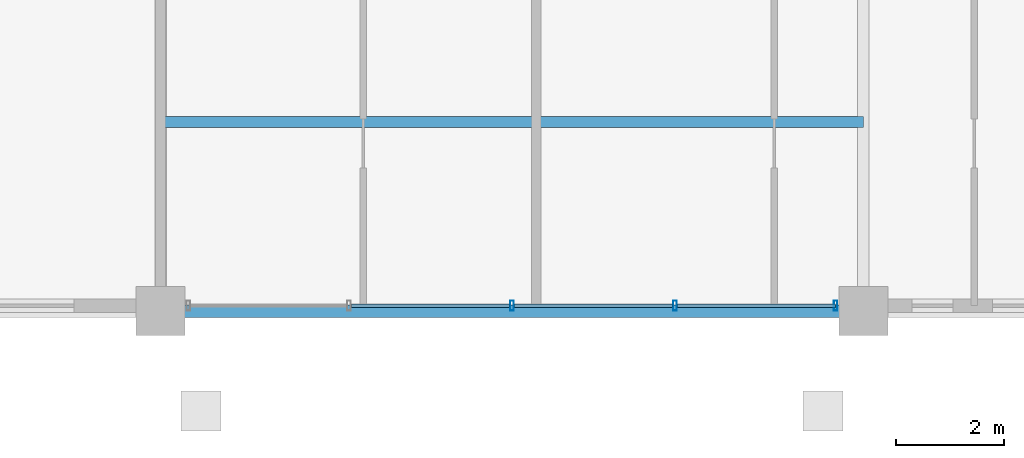
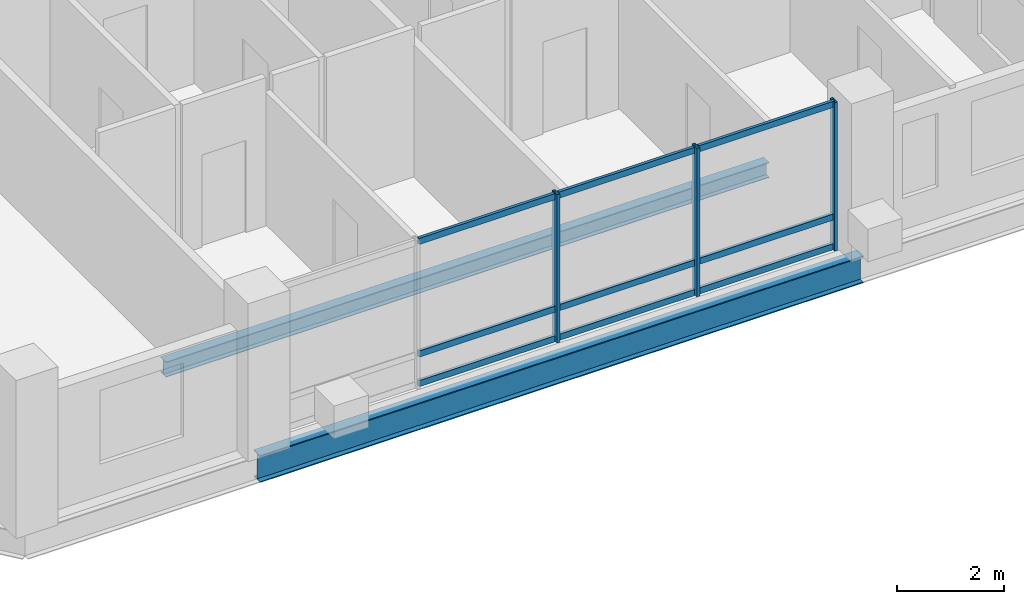
# One storey, part 4 of 22: 12 members, 2 beams, 1 element without a shape of its own.
"""IFC4 building model written with IfcOpenShell, lengths in metres."""

from ifc_helpers import new_model, si_unit, direction, frame, origin, origin_2d, place, context, subcontext, project, spatial, hollow_rectangle, i_section, extrude, material, layer, layer_set, material_profile, profile_set, type_object, element, aggregate, save


model = new_model("IFC4")

# Units and contexts
model_context = context("Model", 3, precision=1e-05, world=origin(), true_north=direction((0.0, 1.0)))
body_context = subcontext(model_context, "Body", "Model", "MODEL_VIEW")
ifc_project = project(units=[si_unit("LENGTHUNIT", "METRE"), si_unit("AREAUNIT", "SQUARE_METRE"), si_unit("VOLUMEUNIT", "CUBIC_METRE"), si_unit("PLANEANGLEUNIT", "RADIAN"), si_unit("MASSUNIT", "GRAM", prefix="KILO")], contexts=[model_context])

# Site, building, storey
site_placement = place(None, origin())
site = spatial("IfcSite", under=ifc_project, at=site_placement, CompositionType="ELEMENT")
building_placement = place(site_placement, origin())
building = spatial("IfcBuilding", under=site, at=building_placement, Name="Barlavira Tower and Art Museum", CompositionType="ELEMENT")
storey_placement = place(building_placement, frame((0.0, 0.0, 243.89990234375)))
storey = spatial("IfcBuildingStorey", under=building, at=storey_placement, Name="L63", CompositionType="ELEMENT", Elevation=243.89990234375)

# Curtain wall, members
ifc_material_1 = material(Name="Low-iron coastal laminated glass", Category="glass")
ifc_layer = layer(ifc_material_1, 0.2099609375, Name="Low-iron coastal laminated glass")
ifc_layer_set = layer_set([ifc_layer], Name="Low-iron coastal laminated glass")
curtain_wall_type = type_object("IfcCurtainWallType", Name="Pale-Metal Unitised Curtain Wall Zone 4", PredefinedType="NOTDEFINED", material=ifc_layer_set)
curtain_wall_placement = place(storey_placement, origin())
curtain_wall = element("IfcCurtainWall", 1, at=curtain_wall_placement, inside=storey, type_object=curtain_wall_type, Name="L63 Curtain Wall CW4-L63-S-B2", PredefinedType="NOTDEFINED")
ifc_material_2 = material(Name="Pale anodised aluminium", Category="aluminium")
ifc_material_profile_1 = material_profile(ifc_material_2, hollow_rectangle(XDim=0.06494140625, YDim=0.179931640625, WallThickness=0.00390625, at=origin_2d()), Name="ALU-MULL 65x180x4")
ifc_profile_set_1 = profile_set([ifc_material_profile_1], Name="Pale anodised aluminium")
member_type_1 = type_object("IfcMemberType", Name="Curtain Wall Pale-Metal Mullion 65x180", PredefinedType="MULLION", material=ifc_profile_set_1)
member_1_placement = place(storey_placement, frame((0.0, -19.89990234375, 0.0), z_axis=(0.0, 0.0, 1.0), x_axis=(1.0, 0.0, 0.0)))
member_1 = element("IfcMember", 2, at=member_1_placement, type_object=member_type_1, Name="CW4-L63-S-B2 Mullion 2", PredefinedType="MULLION", context=body_context, shape_type="SweptSolid", body=[
    extrude(hollow_rectangle(XDim=0.06494140625, YDim=0.179931640625, WallThickness=0.00390625, at=origin_2d()), origin(), (0.0, 0.0, 1.0), 3.380126953125),
])
member_2_placement = place(storey_placement, frame((3.014892578125, -19.89990234375, 0.0), z_axis=(0.0, 0.0, 1.0), x_axis=(1.0, 0.0, 0.0)))
member_2 = element("IfcMember", 3, at=member_2_placement, type_object=member_type_1, Name="CW4-L63-S-B2 Mullion 3", PredefinedType="MULLION", context=body_context, shape_type="SweptSolid", body=[
    extrude(hollow_rectangle(XDim=0.06494140625, YDim=0.179931640625, WallThickness=0.00390625, at=origin_2d()), origin(), (0.0, 0.0, 1.0), 3.380126953125),
])
member_3_placement = place(storey_placement, frame((5.985107421875, -19.89990234375, 0.0), z_axis=(0.0, 0.0, 1.0), x_axis=(1.0, 0.0, 0.0)))
member_3 = element("IfcMember", 4, at=member_3_placement, type_object=member_type_1, Name="CW4-L63-S-B2 Mullion 4", PredefinedType="MULLION", context=body_context, shape_type="SweptSolid", body=[
    extrude(hollow_rectangle(XDim=0.06494140625, YDim=0.179931640625, WallThickness=0.00390625, at=origin_2d()), origin(), (0.0, 0.0, 1.0), 3.380126953125),
])
ifc_material_profile_2 = material_profile(ifc_material_2, hollow_rectangle(XDim=0.06494140625, YDim=0.139892578125, WallThickness=0.00390625, at=origin_2d()), Name="ALU-TRAN 65x140x4")
ifc_profile_set_2 = profile_set([ifc_material_profile_2], Name="Pale anodised aluminium")
member_type_2 = type_object("IfcMemberType", Name="Curtain Wall Pale-Metal Transom 65x140", PredefinedType="USERDEFINED", material=ifc_profile_set_2)
member_4_placement = place(storey_placement, frame((-2.969970703125, -19.89990234375, 0.070068359375), z_axis=(1.0, 0.0, 0.0), x_axis=(0.0, 1.0, 0.0)))
member_4 = element("IfcMember", 5, at=member_4_placement, type_object=member_type_2, Name="CW4-L63-S-B2 Transom 1.1", ObjectType="TRANSOM", PredefinedType="USERDEFINED", context=body_context, shape_type="SweptSolid", body=[
    extrude(hollow_rectangle(XDim=0.06494140625, YDim=0.139892578125, WallThickness=0.00390625, at=origin_2d()), origin(), (0.0, 0.0, 1.0), 2.925048828125),
])
member_5_placement = place(storey_placement, frame((-2.969970703125, -19.89990234375, 0.744140625), z_axis=(1.0, 0.0, 0.0), x_axis=(0.0, 1.0, 0.0)))
member_5 = element("IfcMember", 6, at=member_5_placement, type_object=member_type_2, Name="CW4-L63-S-B2 Transom 1.2", ObjectType="TRANSOM", PredefinedType="USERDEFINED", context=body_context, shape_type="SweptSolid", body=[
    extrude(hollow_rectangle(XDim=0.06494140625, YDim=0.139892578125, WallThickness=0.00390625, at=origin_2d()), origin(), (0.0, 0.0, 1.0), 2.925048828125),
])
member_6_placement = place(storey_placement, frame((-2.969970703125, -19.89990234375, 3.31005859375), z_axis=(1.0, 0.0, 0.0), x_axis=(0.0, 1.0, 0.0)))
member_6 = element("IfcMember", 7, at=member_6_placement, type_object=member_type_2, Name="CW4-L63-S-B2 Transom 1.3", ObjectType="TRANSOM", PredefinedType="USERDEFINED", context=body_context, shape_type="SweptSolid", body=[
    extrude(hollow_rectangle(XDim=0.06494140625, YDim=0.139892578125, WallThickness=0.00390625, at=origin_2d()), origin(), (0.0, 0.0, 1.0), 2.925048828125),
])
member_7_placement = place(storey_placement, frame((0.044921875, -19.89990234375, 0.070068359375), z_axis=(1.0, 0.0, 0.0), x_axis=(0.0, 1.0, 0.0)))
member_7 = element("IfcMember", 8, at=member_7_placement, type_object=member_type_2, Name="CW4-L63-S-B2 Transom 2.1", ObjectType="TRANSOM", PredefinedType="USERDEFINED", context=body_context, shape_type="SweptSolid", body=[
    extrude(hollow_rectangle(XDim=0.06494140625, YDim=0.139892578125, WallThickness=0.00390625, at=origin_2d()), origin(), (0.0, 0.0, 1.0), 2.925048828125),
])
member_8_placement = place(storey_placement, frame((0.044921875, -19.89990234375, 0.744140625), z_axis=(1.0, 0.0, 0.0), x_axis=(0.0, 1.0, 0.0)))
member_8 = element("IfcMember", 9, at=member_8_placement, type_object=member_type_2, Name="CW4-L63-S-B2 Transom 2.2", ObjectType="TRANSOM", PredefinedType="USERDEFINED", context=body_context, shape_type="SweptSolid", body=[
    extrude(hollow_rectangle(XDim=0.06494140625, YDim=0.139892578125, WallThickness=0.00390625, at=origin_2d()), origin(), (0.0, 0.0, 1.0), 2.925048828125),
])
member_9_placement = place(storey_placement, frame((0.044921875, -19.89990234375, 3.31005859375), z_axis=(1.0, 0.0, 0.0), x_axis=(0.0, 1.0, 0.0)))
member_9 = element("IfcMember", 10, at=member_9_placement, type_object=member_type_2, Name="CW4-L63-S-B2 Transom 2.3", ObjectType="TRANSOM", PredefinedType="USERDEFINED", context=body_context, shape_type="SweptSolid", body=[
    extrude(hollow_rectangle(XDim=0.06494140625, YDim=0.139892578125, WallThickness=0.00390625, at=origin_2d()), origin(), (0.0, 0.0, 1.0), 2.925048828125),
])
member_10_placement = place(storey_placement, frame((3.06005859375, -19.89990234375, 0.070068359375), z_axis=(1.0, 0.0, 0.0), x_axis=(0.0, 1.0, 0.0)))
member_10 = element("IfcMember", 11, at=member_10_placement, type_object=member_type_2, Name="CW4-L63-S-B2 Transom 3.1", ObjectType="TRANSOM", PredefinedType="USERDEFINED", context=body_context, shape_type="SweptSolid", body=[
    extrude(hollow_rectangle(XDim=0.06494140625, YDim=0.139892578125, WallThickness=0.00390625, at=origin_2d()), origin(), (0.0, 0.0, 1.0), 2.925048828125),
])
member_11_placement = place(storey_placement, frame((3.06005859375, -19.89990234375, 0.744140625), z_axis=(1.0, 0.0, 0.0), x_axis=(0.0, 1.0, 0.0)))
member_11 = element("IfcMember", 12, at=member_11_placement, type_object=member_type_2, Name="CW4-L63-S-B2 Transom 3.2", ObjectType="TRANSOM", PredefinedType="USERDEFINED", context=body_context, shape_type="SweptSolid", body=[
    extrude(hollow_rectangle(XDim=0.06494140625, YDim=0.139892578125, WallThickness=0.00390625, at=origin_2d()), origin(), (0.0, 0.0, 1.0), 2.925048828125),
])
member_12_placement = place(storey_placement, frame((3.06005859375, -19.89990234375, 3.31005859375), z_axis=(1.0, 0.0, 0.0), x_axis=(0.0, 1.0, 0.0)))
member_12 = element("IfcMember", 13, at=member_12_placement, type_object=member_type_2, Name="CW4-L63-S-B2 Transom 3.3", ObjectType="TRANSOM", PredefinedType="USERDEFINED", context=body_context, shape_type="SweptSolid", body=[
    extrude(hollow_rectangle(XDim=0.06494140625, YDim=0.139892578125, WallThickness=0.00390625, at=origin_2d()), origin(), (0.0, 0.0, 1.0), 2.925048828125),
])
aggregate(curtain_wall, [member_1, member_2, member_3, member_4, member_5, member_6, member_7, member_8, member_9, member_10, member_11, member_12])

# Beams
ifc_material_3 = material(Name="Steel S355", Category="steel")
ifc_material_profile_3 = material_profile(ifc_material_3, i_section(OverallWidth=0.22998046875, OverallDepth=0.616943359375, WebThickness=0.01318359375, FlangeThickness=0.022216796875, at=origin_2d()), Name="W610x140.0")
ifc_profile_set_3 = profile_set([ifc_material_profile_3], Name="Steel S355")
beam_type_1 = type_object("IfcBeamType", Name="Upper Shaft Spandrel Edge Beam W610x140 Steel S355", PredefinedType="SPANDREL", material=ifc_profile_set_3)
beam_1_placement = place(storey_placement, frame((-6.5, -20.0, -0.5283203125), z_axis=(1.0, 0.0, 0.0), x_axis=(0.0, 1.0, 0.0)))
element("IfcBeam", 14, at=beam_1_placement, inside=storey, type_object=beam_type_1, Name="L63 Spandrel 2", PredefinedType="SPANDREL", context=body_context, shape_type="SweptSolid", body=[
    extrude(i_section(OverallWidth=0.22998046875, OverallDepth=0.616943359375, WebThickness=0.01318359375, FlangeThickness=0.022216796875, at=origin_2d()), origin(), (0.0, 0.0, 1.0), 13.0),
])
ifc_material_profile_4 = material_profile(ifc_material_3, i_section(OverallWidth=0.202880859375, OverallDepth=0.346923828125, WebThickness=0.0078125, FlangeThickness=0.013427734375, at=origin_2d()), Name="W360x64.0")
ifc_profile_set_4 = profile_set([ifc_material_profile_4], Name="Steel S355")
beam_type_2 = type_object("IfcBeamType", Name="Zone 4 Composite Floor Joist W360x64 Steel S355", PredefinedType="JOIST", material=ifc_profile_set_4)
beam_2_placement = place(storey_placement, frame((-6.5, -16.5, -0.393310546875), z_axis=(1.0, 0.0, 0.0), x_axis=(0.0, 1.0, 0.0)))
element("IfcBeam", 15, at=beam_2_placement, inside=storey, type_object=beam_type_2, Name="L63 Joist C1", PredefinedType="JOIST", context=body_context, shape_type="SweptSolid", body=[
    extrude(i_section(OverallWidth=0.202880859375, OverallDepth=0.346923828125, WebThickness=0.0078125, FlangeThickness=0.013427734375, at=origin_2d()), origin(), (0.0, 0.0, 1.0), 13.0),
])

save(model, "model.ifc")
